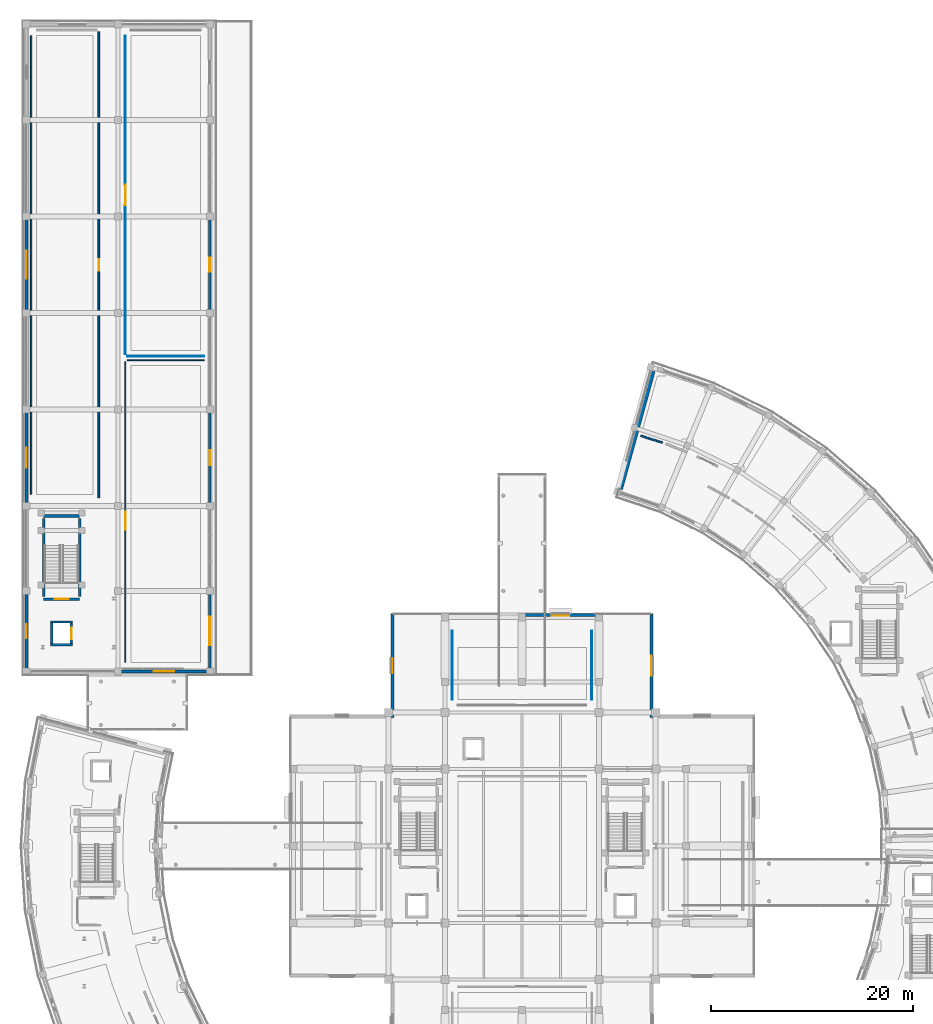
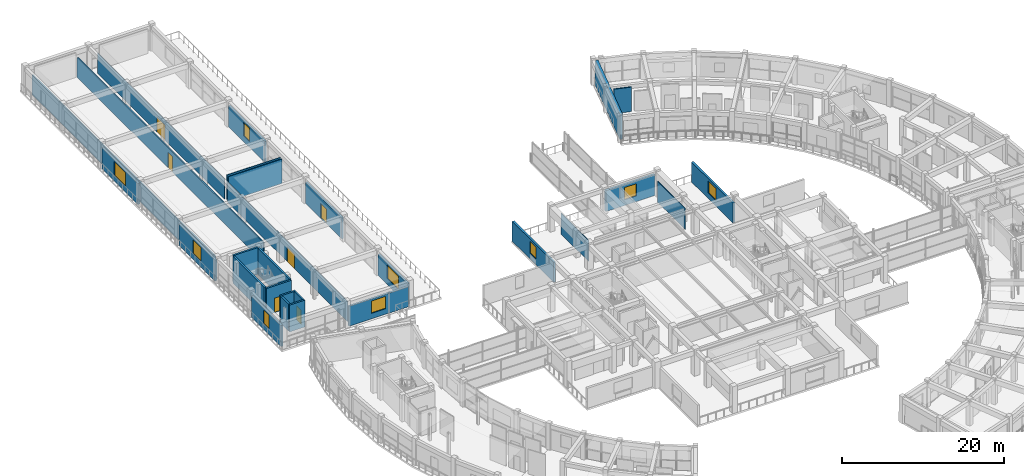
# One storey, part 51 of 70: 28 walls, 9 windows, 6 doors, 15 openings.
"""IFC4 building model written with IfcOpenShell, lengths in metres."""

from ifc_helpers import new_model, si_unit, direction, frame, frame_2d, origin, place, context, subcontext, project, spatial, rectangle, extrude, material, layer, layer_set, type_object, element, fill, save


model = new_model("IFC4")

# Units and contexts
model_context = context("Model", 3, precision=1e-05, world=origin(), true_north=direction((0.0, 1.0)))
body_context = subcontext(model_context, "Body", "Model", "MODEL_VIEW")
ifc_project = project(units=[si_unit("LENGTHUNIT", "METRE"), si_unit("AREAUNIT", "SQUARE_METRE"), si_unit("VOLUMEUNIT", "CUBIC_METRE"), si_unit("PLANEANGLEUNIT", "RADIAN"), si_unit("MASSUNIT", "GRAM", prefix="KILO")], contexts=[model_context])

# Site, building, storey
site_placement = place(None, origin())
site = spatial("IfcSite", under=ifc_project, at=site_placement, CompositionType="ELEMENT")
building_placement = place(site_placement, origin())
building = spatial("IfcBuilding", under=site, at=building_placement, Name="Saryqyr Civic Hall", CompositionType="ELEMENT")
storey_placement = place(building_placement, frame((0.0, 0.0, 13.199951171875)))
storey = spatial("IfcBuildingStorey", under=building, at=storey_placement, Name="L03", CompositionType="ELEMENT", Elevation=13.199951171875)

# Wall, opening, window
ifc_material_1 = material(Name="Precast concrete C40/50", Category="concrete")
ifc_layer_1 = layer(ifc_material_1, 0.27001953125, Name="Precast concrete C40/50")
ifc_layer_set_1 = layer_set([ifc_layer_1], Name="Precast concrete C40/50")
wall_type_1 = type_object("IfcWallType", Name="ENV-WAL-EXT-270", PredefinedType="STANDARD", material=ifc_layer_set_1)
wall_1_placement = place(storey_placement, frame((25.864990234375, 101.25, 0.0), z_axis=(0.0, 0.0, 1.0), x_axis=(-1.0, 0.0, 0.0)))
wall_1 = element("IfcWall", 1, at=wall_1_placement, inside=storey, type_object=wall_type_1, Name="Exterior wall V3-EW-L03-0-0", PredefinedType="STANDARD", context=body_context, shape_type="SweptSolid", body=[
    extrude(rectangle(XDim=8.47998046875, YDim=0.27001953125, at=frame_2d((4.239990234375, 0.0))), origin(), (0.0, 0.0, 1.0), 3.01513671875),
])
opening_1_placement = place(wall_1_placement, frame((3.239990234375, 0.0, 0.85009765625)))
opening_1 = element("IfcOpeningElement", 2, at=opening_1_placement, cuts=wall_1, Name="Opening W-28", PredefinedType="OPENING", context=body_context, shape_type="SweptSolid", body=[
    extrude(rectangle(XDim=2.0, YDim=1.85009765625, at=frame_2d((1.0, 0.925048828125))), frame((0.0, 0.14501953125, 0.0), z_axis=(0.0, -1.0, 0.0), x_axis=(1.0, 0.0, 0.0)), (0.0, 0.0, 1.0), 0.2900390625),
])
ifc_material_2 = material(Name="Anodised aluminium and triple low-E glass", Category="aluminium")
window_type_1 = type_object("IfcWindowType", Name="ENV-WIN-W28", PartitioningType="SINGLE_PANEL", PredefinedType="WINDOW", material=ifc_material_2)
window_1_placement = place(opening_1_placement, origin())
window_1 = element("IfcWindow", 3, at=window_1_placement, inside=storey, type_object=window_type_1, Name="Library window L03-0-0", OverallHeight=1.85009765625, OverallWidth=2.0, PartitioningType="SINGLE_PANEL", PredefinedType="WINDOW", context=body_context, shape_type="SweptSolid", body=[
    extrude(rectangle(XDim=2.0, YDim=1.85009765625, at=frame_2d((1.0, 0.925048828125))), frame((0.0, 0.030029296875, 0.0), z_axis=(0.0, -1.0, 0.0), x_axis=(1.0, 0.0, 0.0)), (0.0, 0.0, 1.0), 0.06005859375),
])
fill(opening_1, window_1)

wall_2_placement = place(storey_placement, frame((26.14990234375, 145.905029296875, 0.0), z_axis=(0.0, 0.0, 1.0), x_axis=(0.0, -1.0, 0.0)))
wall_2 = element("IfcWall", 4, at=wall_2_placement, inside=storey, type_object=wall_type_1, Name="Exterior wall V3-EW-L03-1-2", PredefinedType="STANDARD", context=body_context, shape_type="SweptSolid", body=[
    extrude(rectangle(XDim=8.9599609375, YDim=0.27001953125, at=frame_2d((4.47998046875, 0.0))), origin(), (0.0, 0.0, 1.0), 3.1650390625),
])
opening_2_placement = place(wall_2_placement, frame((3.780029296875, 0.0, 0.85009765625)))
opening_2 = element("IfcOpeningElement", 5, at=opening_2_placement, cuts=wall_2, Name="Opening W-31", PredefinedType="OPENING", context=body_context, shape_type="SweptSolid", body=[
    extrude(rectangle(XDim=1.39990234375, YDim=2.050048828125, at=frame_2d((0.699951171875, 1.02490234375))), frame((0.0, 0.14501953125, 0.0), z_axis=(0.0, -1.0, 0.0), x_axis=(1.0, 0.0, 0.0)), (0.0, 0.0, 1.0), 0.2900390625),
])
window_type_2 = type_object("IfcWindowType", Name="ENV-WIN-W31", PartitioningType="SINGLE_PANEL", PredefinedType="WINDOW", material=ifc_material_2)
window_2_placement = place(opening_2_placement, origin())
window_2 = element("IfcWindow", 6, at=window_2_placement, inside=storey, type_object=window_type_2, Name="Library window L03-1-2", OverallHeight=2.050048828125, OverallWidth=1.39990234375, PartitioningType="SINGLE_PANEL", PredefinedType="WINDOW", context=body_context, shape_type="SweptSolid", body=[
    extrude(rectangle(XDim=1.39990234375, YDim=2.050048828125, at=frame_2d((0.699951171875, 1.02490234375))), frame((0.0, 0.030029296875, 0.0), z_axis=(0.0, -1.0, 0.0), x_axis=(1.0, 0.0, 0.0)), (0.0, 0.0, 1.0), 0.06005859375),
])
fill(opening_2, window_2)

# Wall, opening, door
wall_3_placement = place(storey_placement, frame((26.14990234375, 126.844970703125, 0.0), z_axis=(0.0, 0.0, 1.0), x_axis=(0.0, -1.0, 0.0)))
wall_3 = element("IfcWall", 7, at=wall_3_placement, inside=storey, type_object=wall_type_1, Name="Exterior wall V3-EW-L03-1-4", PredefinedType="STANDARD", context=body_context, shape_type="SweptSolid", body=[
    extrude(rectangle(XDim=8.9599609375, YDim=0.27001953125, at=frame_2d((4.47998046875, 0.0))), origin(), (0.0, 0.0, 1.0), 3.1650390625),
])
opening_3_placement = place(wall_3_placement, frame((3.72998046875, 0.0, 0.0)))
opening_3 = element("IfcOpeningElement", 8, at=opening_3_placement, cuts=wall_3, Name="Opening TD-A", PredefinedType="OPENING", context=body_context, shape_type="SweptSolid", body=[
    extrude(rectangle(XDim=1.5, YDim=2.199951171875, at=frame_2d((0.75, 1.10009765625))), frame((0.0, 0.14501953125, 0.0), z_axis=(0.0, -1.0, 0.0), x_axis=(1.0, 0.0, 0.0)), (0.0, 0.0, 1.0), 0.2900390625),
])
ifc_material_3 = material(Name="Thermally broken painted galvanized steel", Category="steel")
door_type_1 = type_object("IfcDoorType", Name="ENV-DR-TERR-1500x2200", OperationType="NOTDEFINED", PredefinedType="DOOR", material=ifc_material_3)
door_1_placement = place(opening_3_placement, origin())
door_1 = element("IfcDoor", 9, at=door_1_placement, inside=storey, type_object=door_type_1, Name="Library reading terrace access door L03", OperationType="SINGLE_SWING_RIGHT", OverallHeight=2.199951171875, OverallWidth=1.5, PredefinedType="DOOR", context=body_context, shape_type="SweptSolid", body=[
    extrude(rectangle(XDim=1.5, YDim=2.199951171875, at=frame_2d((0.75, 1.10009765625))), frame((0.0, 0.02490234375, 0.0), z_axis=(0.0, -1.0, 0.0), x_axis=(1.0, 0.0, 0.0)), (0.0, 0.0, 1.0), 0.050048828125),
])
fill(opening_3, door_1)

# Wall, opening, window
wall_4_placement = place(storey_placement, frame((26.14990234375, 108.9150390625, 0.0), z_axis=(0.0, 0.0, 1.0), x_axis=(0.0, -1.0, 0.0)))
wall_4 = element("IfcWall", 10, at=wall_4_placement, inside=storey, type_object=wall_type_1, Name="Exterior wall V3-EW-L03-1-6", PredefinedType="STANDARD", context=body_context, shape_type="SweptSolid", body=[
    extrude(rectangle(XDim=7.380126953125, YDim=0.27001953125, at=frame_2d((3.68994140625, 0.0))), origin(), (0.0, 0.0, 1.0), 3.1650390625),
])
opening_4_placement = place(wall_4_placement, frame((2.2900390625, 0.0, 0.85009765625)))
opening_4 = element("IfcOpeningElement", 11, at=opening_4_placement, cuts=wall_4, Name="Opening W-35", PredefinedType="OPENING", context=body_context, shape_type="SweptSolid", body=[
    extrude(rectangle(XDim=2.800048828125, YDim=2.050048828125, at=frame_2d((1.39990234375, 1.02490234375))), frame((0.0, 0.14501953125, 0.0), z_axis=(0.0, -1.0, 0.0), x_axis=(1.0, 0.0, 0.0)), (0.0, 0.0, 1.0), 0.2900390625),
])
window_type_3 = type_object("IfcWindowType", Name="ENV-WIN-W35", PartitioningType="SINGLE_PANEL", PredefinedType="WINDOW", material=ifc_material_2)
window_3_placement = place(opening_4_placement, origin())
window_3 = element("IfcWindow", 12, at=window_3_placement, inside=storey, type_object=window_type_3, Name="Library window L03-1-6", OverallHeight=2.050048828125, OverallWidth=2.800048828125, PartitioningType="SINGLE_PANEL", PredefinedType="WINDOW", context=body_context, shape_type="SweptSolid", body=[
    extrude(rectangle(XDim=2.800048828125, YDim=2.050048828125, at=frame_2d((1.39990234375, 1.02490234375))), frame((0.0, 0.030029296875, 0.0), z_axis=(0.0, -1.0, 0.0), x_axis=(1.0, 0.0, 0.0)), (0.0, 0.0, 1.0), 0.06005859375),
])
fill(opening_4, window_3)

wall_5_placement = place(storey_placement, frame((8.050048828125, 101.534912109375, 0.0), z_axis=(0.0, 0.0, 1.0), x_axis=(0.0, 1.0, 0.0)))
wall_5 = element("IfcWall", 13, at=wall_5_placement, inside=storey, type_object=wall_type_1, Name="Exterior wall V3-EW-L03-3-0", PredefinedType="STANDARD", context=body_context, shape_type="SweptSolid", body=[
    extrude(rectangle(XDim=7.380126953125, YDim=0.27001953125, at=frame_2d((3.68994140625, 0.0))), origin(), (0.0, 0.0, 1.0), 3.1650390625),
])
opening_5_placement = place(wall_5_placement, frame((2.989990234375, 0.0, 0.85009765625)))
opening_5 = element("IfcOpeningElement", 14, at=opening_5_placement, cuts=wall_5, Name="Opening W-31", PredefinedType="OPENING", context=body_context, shape_type="SweptSolid", body=[
    extrude(rectangle(XDim=1.39990234375, YDim=2.050048828125, at=frame_2d((0.699951171875, 1.02490234375))), frame((0.0, 0.14501953125, 0.0), z_axis=(0.0, -1.0, 0.0), x_axis=(1.0, 0.0, 0.0)), (0.0, 0.0, 1.0), 0.2900390625),
])
window_4_placement = place(opening_5_placement, origin())
window_4 = element("IfcWindow", 15, at=window_4_placement, inside=storey, type_object=window_type_2, Name="Library window L03-3-0", OverallHeight=2.050048828125, OverallWidth=1.39990234375, PartitioningType="SINGLE_PANEL", PredefinedType="WINDOW", context=body_context, shape_type="SweptSolid", body=[
    extrude(rectangle(XDim=1.39990234375, YDim=2.050048828125, at=frame_2d((0.699951171875, 1.02490234375))), frame((0.0, 0.030029296875, 0.0), z_axis=(0.0, -1.0, 0.0), x_axis=(1.0, 0.0, 0.0)), (0.0, 0.0, 1.0), 0.06005859375),
])
fill(opening_5, window_4)

wall_6_placement = place(storey_placement, frame((8.050048828125, 117.885009765625, 0.0), z_axis=(0.0, 0.0, 1.0), x_axis=(0.0, 1.0, 0.0)))
wall_6 = element("IfcWall", 16, at=wall_6_placement, inside=storey, type_object=wall_type_1, Name="Exterior wall V3-EW-L03-3-2", PredefinedType="STANDARD", context=body_context, shape_type="SweptSolid", body=[
    extrude(rectangle(XDim=8.9599609375, YDim=0.27001953125, at=frame_2d((4.47998046875, 0.0))), origin(), (0.0, 0.0, 1.0), 3.1650390625),
])
opening_6_placement = place(wall_6_placement, frame((3.47998046875, 0.0, 0.85009765625)))
opening_6 = element("IfcOpeningElement", 17, at=opening_6_placement, cuts=wall_6, Name="Opening W-33", PredefinedType="OPENING", context=body_context, shape_type="SweptSolid", body=[
    extrude(rectangle(XDim=2.0, YDim=2.050048828125, at=frame_2d((1.0, 1.02490234375))), frame((0.0, 0.14501953125, 0.0), z_axis=(0.0, -1.0, 0.0), x_axis=(1.0, 0.0, 0.0)), (0.0, 0.0, 1.0), 0.2900390625),
])
window_type_4 = type_object("IfcWindowType", Name="ENV-WIN-W33", PartitioningType="SINGLE_PANEL", PredefinedType="WINDOW", material=ifc_material_2)
window_5_placement = place(opening_6_placement, origin())
window_5 = element("IfcWindow", 18, at=window_5_placement, inside=storey, type_object=window_type_4, Name="Library window L03-3-2", OverallHeight=2.050048828125, OverallWidth=2.0, PartitioningType="SINGLE_PANEL", PredefinedType="WINDOW", context=body_context, shape_type="SweptSolid", body=[
    extrude(rectangle(XDim=2.0, YDim=2.050048828125, at=frame_2d((1.0, 1.02490234375))), frame((0.0, 0.030029296875, 0.0), z_axis=(0.0, -1.0, 0.0), x_axis=(1.0, 0.0, 0.0)), (0.0, 0.0, 1.0), 0.06005859375),
])
fill(opening_6, window_5)

wall_7_placement = place(storey_placement, frame((8.050048828125, 136.945068359375, 0.0), z_axis=(0.0, 0.0, 1.0), x_axis=(0.0, 1.0, 0.0)))
wall_7 = element("IfcWall", 19, at=wall_7_placement, inside=storey, type_object=wall_type_1, Name="Exterior wall V3-EW-L03-3-4", PredefinedType="STANDARD", context=body_context, shape_type="SweptSolid", body=[
    extrude(rectangle(XDim=8.9599609375, YDim=0.27001953125, at=frame_2d((4.47998046875, 0.0))), origin(), (0.0, 0.0, 1.0), 3.1650390625),
])
opening_7_placement = place(wall_7_placement, frame((3.080078125, 0.0, 0.85009765625)))
opening_7 = element("IfcOpeningElement", 20, at=opening_7_placement, cuts=wall_7, Name="Opening W-35", PredefinedType="OPENING", context=body_context, shape_type="SweptSolid", body=[
    extrude(rectangle(XDim=2.800048828125, YDim=2.050048828125, at=frame_2d((1.39990234375, 1.02490234375))), frame((0.0, 0.14501953125, 0.0), z_axis=(0.0, -1.0, 0.0), x_axis=(1.0, 0.0, 0.0)), (0.0, 0.0, 1.0), 0.2900390625),
])
window_6_placement = place(opening_7_placement, origin())
window_6 = element("IfcWindow", 21, at=window_6_placement, inside=storey, type_object=window_type_3, Name="Library window L03-3-4", OverallHeight=2.050048828125, OverallWidth=2.800048828125, PartitioningType="SINGLE_PANEL", PredefinedType="WINDOW", context=body_context, shape_type="SweptSolid", body=[
    extrude(rectangle(XDim=2.800048828125, YDim=2.050048828125, at=frame_2d((1.39990234375, 1.02490234375))), frame((0.0, 0.030029296875, 0.0), z_axis=(0.0, -1.0, 0.0), x_axis=(1.0, 0.0, 0.0)), (0.0, 0.0, 1.0), 0.06005859375),
])
fill(opening_7, window_6)

ifc_layer_2 = layer(ifc_material_1, 0.2900390625, Name="Precast concrete C40/50")
ifc_layer_set_2 = layer_set([ifc_layer_2], Name="Precast concrete C40/50")
wall_type_2 = type_object("IfcWallType", Name="ENV-WAL-EXT-290", PredefinedType="STANDARD", material=ifc_layer_set_2)
wall_8_placement = place(storey_placement, frame((44.199951171875, 96.679931640625, 0.0), z_axis=(0.0, 0.0, 1.0), x_axis=(0.0, 1.0, 0.0)))
wall_8 = element("IfcWall", 22, at=wall_8_placement, inside=storey, type_object=wall_type_2, Name="Exterior wall V1-EW-L03-04", PredefinedType="STANDARD", context=body_context, shape_type="SweptSolid", body=[
    extrude(rectangle(XDim=10.239990234375, YDim=0.2900390625, at=frame_2d((5.1201171875, 0.0))), origin(), (0.0, 0.0, 1.0), 3.01513671875),
])
opening_8_placement = place(wall_8_placement, frame((4.3701171875, 0.0, 0.85009765625)))
opening_8 = element("IfcOpeningElement", 23, at=opening_8_placement, cuts=wall_8, Name="Opening W-26", PredefinedType="OPENING", context=body_context, shape_type="SweptSolid", body=[
    extrude(rectangle(XDim=1.5, YDim=1.85009765625, at=frame_2d((0.75, 0.925048828125))), frame((0.0, 0.155029296875, 0.0), z_axis=(0.0, -1.0, 0.0), x_axis=(1.0, 0.0, 0.0)), (0.0, 0.0, 1.0), 0.31005859375),
])
window_type_5 = type_object("IfcWindowType", Name="ENV-WIN-W26", PartitioningType="SINGLE_PANEL", PredefinedType="WINDOW", material=ifc_material_2)
window_7_placement = place(opening_8_placement, origin())
window_7 = element("IfcWindow", 24, at=window_7_placement, inside=storey, type_object=window_type_5, Name="Chamber cluster window L03-04", OverallHeight=1.85009765625, OverallWidth=1.5, PartitioningType="SINGLE_PANEL", PredefinedType="WINDOW", context=body_context, shape_type="SweptSolid", body=[
    extrude(rectangle(XDim=1.5, YDim=1.85009765625, at=frame_2d((0.75, 0.925048828125))), frame((0.0, 0.030029296875, 0.0), z_axis=(0.0, -1.0, 0.0), x_axis=(1.0, 0.0, 0.0)), (0.0, 0.0, 1.0), 0.06005859375),
])
fill(opening_8, window_7)

wall_9_placement = place(storey_placement, frame((57.284912109375, 106.800048828125, 0.0), z_axis=(0.0, 0.0, 1.0), x_axis=(1.0, 0.0, 0.0)))
wall_9 = element("IfcWall", 25, at=wall_9_placement, inside=storey, type_object=wall_type_2, Name="Exterior wall V1-EW-L03-05", PredefinedType="STANDARD", context=body_context, shape_type="SweptSolid", body=[
    extrude(rectangle(XDim=7.030029296875, YDim=0.2900390625, at=frame_2d((3.51513671875, 0.0))), origin(), (0.0, 0.0, 1.0), 3.1650390625),
])
opening_9_placement = place(wall_9_placement, frame((2.639892578125, 0.0, 0.85009765625)))
opening_9 = element("IfcOpeningElement", 26, at=opening_9_placement, cuts=wall_9, Name="Opening W-27", PredefinedType="OPENING", context=body_context, shape_type="SweptSolid", body=[
    extrude(rectangle(XDim=1.75, YDim=1.85009765625, at=frame_2d((0.875, 0.925048828125))), frame((0.0, 0.155029296875, 0.0), z_axis=(0.0, -1.0, 0.0), x_axis=(1.0, 0.0, 0.0)), (0.0, 0.0, 1.0), 0.31005859375),
])
window_type_6 = type_object("IfcWindowType", Name="ENV-WIN-W27", PartitioningType="SINGLE_PANEL", PredefinedType="WINDOW", material=ifc_material_2)
window_8_placement = place(opening_9_placement, origin())
window_8 = element("IfcWindow", 27, at=window_8_placement, inside=storey, type_object=window_type_6, Name="Chamber cluster window L03-05", OverallHeight=1.85009765625, OverallWidth=1.75, PartitioningType="SINGLE_PANEL", PredefinedType="WINDOW", context=body_context, shape_type="SweptSolid", body=[
    extrude(rectangle(XDim=1.75, YDim=1.85009765625, at=frame_2d((0.875, 0.925048828125))), frame((0.0, 0.030029296875, 0.0), z_axis=(0.0, -1.0, 0.0), x_axis=(1.0, 0.0, 0.0)), (0.0, 0.0, 1.0), 0.06005859375),
])
fill(opening_9, window_8)

wall_10_placement = place(storey_placement, frame((69.800048828125, 106.919921875, 0.0), z_axis=(0.0, 0.0, 1.0), x_axis=(0.0, -1.0, 0.0)))
wall_10 = element("IfcWall", 28, at=wall_10_placement, inside=storey, type_object=wall_type_2, Name="Exterior wall V1-EW-L03-06", PredefinedType="STANDARD", context=body_context, shape_type="SweptSolid", body=[
    extrude(rectangle(XDim=10.239990234375, YDim=0.2900390625, at=frame_2d((5.1201171875, 0.0))), origin(), (0.0, 0.0, 1.0), 3.01513671875),
])
opening_10_placement = place(wall_10_placement, frame((4.1201171875, 0.0, 0.85009765625)))
opening_10 = element("IfcOpeningElement", 29, at=opening_10_placement, cuts=wall_10, Name="Opening W-28", PredefinedType="OPENING", context=body_context, shape_type="SweptSolid", body=[
    extrude(rectangle(XDim=2.0, YDim=1.85009765625, at=frame_2d((1.0, 0.925048828125))), frame((0.0, 0.155029296875, 0.0), z_axis=(0.0, -1.0, 0.0), x_axis=(1.0, 0.0, 0.0)), (0.0, 0.0, 1.0), 0.31005859375),
])
window_9_placement = place(opening_10_placement, origin())
window_9 = element("IfcWindow", 30, at=window_9_placement, inside=storey, type_object=window_type_1, Name="Chamber cluster window L03-06", OverallHeight=1.85009765625, OverallWidth=2.0, PartitioningType="SINGLE_PANEL", PredefinedType="WINDOW", context=body_context, shape_type="SweptSolid", body=[
    extrude(rectangle(XDim=2.0, YDim=1.85009765625, at=frame_2d((1.0, 0.925048828125))), frame((0.0, 0.030029296875, 0.0), z_axis=(0.0, -1.0, 0.0), x_axis=(1.0, 0.0, 0.0)), (0.0, 0.0, 1.0), 0.06005859375),
])
fill(opening_10, window_9)

# Walls
ifc_material_4 = material(Name="Concrete C40/50", Category="concrete")
ifc_layer_3 = layer(ifc_material_4, 0.3798828125, Name="Concrete C40/50")
ifc_layer_set_3 = layer_set([ifc_layer_3], Name="Concrete C40/50")
wall_type_3 = type_object("IfcWallType", Name="ENV-WAL-PTY-380", PredefinedType="SHEAR", material=ifc_layer_set_3)
wall_11_placement = place(storey_placement, frame((66.73681640625, 119.229248046875, 0.0), z_axis=(0.0, 0.0, 1.0), x_axis=(0.266399016259, 0.963862834711, 0.0)))
element("IfcWall", 31, at=wall_11_placement, inside=storey, type_object=wall_type_3, Name="Exterior wall V6-JNTW-B-L03", PredefinedType="SHEAR", context=body_context, shape_type="SweptSolid", body=[
    extrude(rectangle(XDim=12.099853515625, YDim=0.3798828125, at=frame_2d((6.0498046875, 0.0))), origin(), (0.0, 0.0, 1.0), 3.75),
])
ifc_material_5 = material(Name="Lightweight demountable partition", Category="gypsum")
ifc_layer_4 = layer(ifc_material_5, 0.094970703125, Name="Lightweight demountable partition")
ifc_layer_set_4 = layer_set([ifc_layer_4], Name="Lightweight demountable partition")
wall_type_4 = type_object("IfcWallType", Name="INT-WAL-PRT-095", PredefinedType="PARTITIONING", material=ifc_layer_set_4)
for number, where, z_axis, x_axis, name in (
    (32, (63.89990234375, 105.25, 0.0), (0.0, 0.0, 1.0), (0.0, -1.0, 0.0), "Interior partition PRT-SP-V1-L03-R03-W2"),
    (33, (50.10009765625, 98.449951171875, 0.0), (0.0, 0.0, 1.0), (0.0, 1.0, 0.0), "Interior partition PRT-SP-V1-L03-R03-W3"),
):
    element("IfcWall", number, at=place(storey_placement, frame(where, z_axis=z_axis, x_axis=x_axis)), inside=storey, type_object=wall_type_4, Name=name, PredefinedType="PARTITIONING", context=body_context, shape_type="SweptSolid", body=[
        extrude(rectangle(XDim=6.800048828125, YDim=0.094970703125, at=frame_2d((3.39990234375, 0.0))), origin(), (0.0, 0.0, 1.0), 3.1650390625),
    ])

# Wall, opening, door
wall_12_placement = place(storey_placement, frame((17.800048828125, 132.580078125, 0.0), z_axis=(0.0, 0.0, 1.0), x_axis=(0.0, 1.0, 0.0)))
wall_12 = element("IfcWall", 34, at=wall_12_placement, inside=storey, type_object=wall_type_4, Name="Interior partition PRT-SP-V3-L03-R02-W1", PredefinedType="PARTITIONING", context=body_context, shape_type="SweptSolid", body=[
    extrude(rectangle(XDim=31.469970703125, YDim=0.094970703125, at=frame_2d((15.73486328125, 0.0))), origin(), (0.0, 0.0, 1.0), 3.01513671875),
])
opening_11_placement = place(wall_12_placement, frame((14.735107421875, 0.0, 0.0)))
opening_11 = element("IfcOpeningElement", 35, at=opening_11_placement, cuts=wall_12, Name="Opening D-16", PredefinedType="OPENING", context=body_context, shape_type="SweptSolid", body=[
    extrude(rectangle(XDim=2.0, YDim=2.219970703125, at=frame_2d((1.0, 1.10986328125))), frame((0.0, 0.057373046875, 0.0), z_axis=(0.0, -1.0, 0.0), x_axis=(1.0, 0.0, 0.0)), (0.0, 0.0, 1.0), 0.114990234375),
])
ifc_material_6 = material(Name="Acoustic solid-core oak veneer", Category="wood")
door_type_2 = type_object("IfcDoorType", Name="INT-DR-D-16", OperationType="NOTDEFINED", PredefinedType="DOOR", material=ifc_material_6)
door_2_placement = place(opening_11_placement, origin())
door_2 = element("IfcDoor", 36, at=door_2_placement, inside=storey, type_object=door_type_2, Name="Interior door Terrace Reading Salon & Accessible MGN WC L03", OperationType="DOUBLE_DOOR_SINGLE_SWING", OverallHeight=2.219970703125, OverallWidth=2.0, PredefinedType="DOOR", context=body_context, shape_type="SweptSolid", body=[
    extrude(rectangle(XDim=2.0, YDim=2.219970703125, at=frame_2d((1.0, 1.10986328125))), frame((0.0, 0.02490234375, 0.0), z_axis=(0.0, -1.0, 0.0), x_axis=(1.0, 0.0, 0.0)), (0.0, 0.0, 1.0), 0.050048828125),
])
fill(opening_11, door_2)

# Wall
wall_13_placement = place(storey_placement, frame((25.6201171875, 132.39990234375, 0.0), z_axis=(0.0, 0.0, 1.0), x_axis=(-1.0, 0.0, 0.0)))
element("IfcWall", 37, at=wall_13_placement, inside=storey, type_object=wall_type_4, Name="Interior partition PRT-SP-V3-L03-R02-W2", PredefinedType="PARTITIONING", context=body_context, shape_type="SweptSolid", body=[
    extrude(rectangle(XDim=7.64013671875, YDim=0.094970703125, at=frame_2d((3.820068359375, 0.0))), origin(), (0.0, 0.0, 1.0), 3.699951171875),
])

# Wall, opening, door
ifc_material_7 = material(Name="Moisture-resistant gypsum partition", Category="gypsum")
ifc_layer_5 = layer(ifc_material_7, 0.110107421875, Name="Moisture-resistant gypsum partition")
ifc_layer_set_5 = layer_set([ifc_layer_5], Name="Moisture-resistant gypsum partition")
wall_type_5 = type_object("IfcWallType", Name="INT-WAL-PRT-110", PredefinedType="PARTITIONING", material=ifc_layer_set_5)
wall_14_placement = place(storey_placement, frame((17.800048828125, 102.14990234375, 0.0), z_axis=(0.0, 0.0, 1.0), x_axis=(0.0, 1.0, 0.0)))
wall_14 = element("IfcWall", 38, at=wall_14_placement, inside=storey, type_object=wall_type_5, Name="Interior partition PRT-SP-V3-L03-R01-W1", PredefinedType="PARTITIONING", context=body_context, shape_type="SweptSolid", body=[
    extrude(rectangle(XDim=29.670166015625, YDim=0.110107421875, at=frame_2d((14.8349609375, 0.0))), origin(), (0.0, 0.0, 1.0), 3.01513671875),
])
opening_12_placement = place(wall_14_placement, frame((13.0849609375, 0.0, 0.0)))
opening_12 = element("IfcOpeningElement", 39, at=opening_12_placement, cuts=wall_14, Name="Opening D-15", PredefinedType="OPENING", context=body_context, shape_type="SweptSolid", body=[
    extrude(rectangle(XDim=1.800048828125, YDim=2.219970703125, at=frame_2d((0.89990234375, 1.10986328125))), frame((0.0, 0.06494140625, 0.0), z_axis=(0.0, -1.0, 0.0), x_axis=(1.0, 0.0, 0.0)), (0.0, 0.0, 1.0), 0.130126953125),
])
door_type_3 = type_object("IfcDoorType", Name="INT-DR-D-15", OperationType="NOTDEFINED", PredefinedType="DOOR", material=ifc_material_6)
door_3_placement = place(opening_12_placement, origin())
door_3 = element("IfcDoor", 40, at=door_3_placement, inside=storey, type_object=door_type_3, Name="Interior door Members' Seminar & Book Presentation Room", OperationType="DOUBLE_DOOR_SINGLE_SWING", OverallHeight=2.219970703125, OverallWidth=1.800048828125, PredefinedType="DOOR", context=body_context, shape_type="SweptSolid", body=[
    extrude(rectangle(XDim=1.800048828125, YDim=2.219970703125, at=frame_2d((0.89990234375, 1.10986328125))), frame((0.0, 0.02490234375, 0.0), z_axis=(0.0, -1.0, 0.0), x_axis=(1.0, 0.0, 0.0)), (0.0, 0.0, 1.0), 0.050048828125),
])
fill(opening_12, door_3)

# Walls
wall_15_placement = place(storey_placement, frame((17.97998046875, 132.0, 0.0), z_axis=(0.0, 0.0, 1.0), x_axis=(1.0, 0.0, 0.0)))
element("IfcWall", 41, at=wall_15_placement, inside=storey, type_object=wall_type_5, Name="Interior partition PRT-SP-V3-L03-R01-W2", PredefinedType="PARTITIONING", context=body_context, shape_type="SweptSolid", body=[
    extrude(rectangle(XDim=7.64013671875, YDim=0.110107421875, at=frame_2d((3.820068359375, 0.0))), origin(), (0.0, 0.0, 1.0), 3.699951171875),
])
ifc_material_8 = material(Name="Acoustic double-stud gypsum board", Category="gypsum")
ifc_layer_6 = layer(ifc_material_8, 0.169921875, Name="Acoustic double-stud gypsum board")
ifc_layer_set_6 = layer_set([ifc_layer_6], Name="Acoustic double-stud gypsum board")
wall_type_6 = type_object("IfcWallType", Name="INT-WAL-PRT-170", PredefinedType="PARTITIONING", material=ifc_layer_set_6)
wall_16_placement = place(storey_placement, frame((70.865478515625, 123.850830078125, 0.0), z_axis=(0.0, 0.0, 1.0), x_axis=(-0.954164823444, 0.299281622727, 0.0)))
element("IfcWall", 42, at=wall_16_placement, inside=storey, type_object=wall_type_6, Name="Interior partition PRT-SP-V6-L03-R03-W3", PredefinedType="PARTITIONING", context=body_context, shape_type="SweptSolid", body=[
    extrude(rectangle(XDim=2.23681640625, YDim=0.169921875, at=frame_2d((1.118408203125, 0.0))), origin(), (0.0, 0.0, 1.0), 3.699951171875),
])

# Wall, opening, door
wall_17_placement = place(storey_placement, frame((15.179931640625, 164.419921875, 0.0), z_axis=(0.0, 0.0, 1.0), x_axis=(0.0, -1.0, 0.0)))
wall_17 = element("IfcWall", 43, at=wall_17_placement, inside=storey, type_object=wall_type_6, Name="Interior partition PRT-SP-V3-L03-R03-W1", PredefinedType="PARTITIONING", context=body_context, shape_type="SweptSolid", body=[
    extrude(rectangle(XDim=46.0400390625, YDim=0.169921875, at=frame_2d((23.02001953125, 0.0))), origin(), (0.0, 0.0, 1.0), 3.01513671875),
])
opening_13_placement = place(wall_17_placement, frame((22.469970703125, 0.0, 0.0)))
opening_13 = element("IfcOpeningElement", 44, at=opening_13_placement, cuts=wall_17, Name="Opening D-17", PredefinedType="OPENING", context=body_context, shape_type="SweptSolid", body=[
    extrude(rectangle(XDim=1.10009765625, YDim=2.35009765625, at=frame_2d((0.550048828125, 1.175048828125))), frame((0.0, 0.094970703125, 0.0), z_axis=(0.0, -1.0, 0.0), x_axis=(1.0, 0.0, 0.0)), (0.0, 0.0, 1.0), 0.18994140625),
])
door_type_4 = type_object("IfcDoorType", Name="INT-DR-D-17", OperationType="NOTDEFINED", PredefinedType="DOOR", material=ifc_material_6)
door_4_placement = place(opening_13_placement, origin())
door_4 = element("IfcDoor", 45, at=door_4_placement, inside=storey, type_object=door_type_4, Name="Interior door Civic Policy & Urbanism Library", OperationType="SINGLE_SWING_LEFT", OverallHeight=2.35009765625, OverallWidth=1.10009765625, PredefinedType="DOOR", context=body_context, shape_type="SweptSolid", body=[
    extrude(rectangle(XDim=1.10009765625, YDim=2.35009765625, at=frame_2d((0.550048828125, 1.175048828125))), frame((0.0, 0.02490234375, 0.0), z_axis=(0.0, -1.0, 0.0), x_axis=(1.0, 0.0, 0.0)), (0.0, 0.0, 1.0), 0.050048828125),
])
fill(opening_13, door_4)

# Walls
wall_18_placement = place(storey_placement, frame((8.5, 118.75, 0.0), z_axis=(0.0, 0.0, 1.0), x_axis=(0.0, 1.0, 0.0)))
element("IfcWall", 46, at=wall_18_placement, inside=storey, type_object=wall_type_6, Name="Interior partition PRT-SP-V3-L03-R03-W2", PredefinedType="PARTITIONING", context=body_context, shape_type="SweptSolid", body=[
    extrude(rectangle(XDim=45.300048828125, YDim=0.169921875, at=frame_2d((22.64990234375, 0.0))), origin(), (0.0, 0.0, 1.0), 3.01513671875),
])
ifc_layer_7 = layer(ifc_material_4, 0.239990234375, Name="Concrete C40/50")
ifc_layer_set_7 = layer_set([ifc_layer_7], Name="Concrete C40/50")
wall_type_7 = type_object("IfcWallType", Name="INT-WAL-SHR-240", PredefinedType="SHEAR", material=ifc_layer_set_7)
wall_19_placement = place(storey_placement, frame((12.60009765625, 103.8701171875, 0.0), z_axis=(0.0, 0.0, 1.0), x_axis=(-1.0, 0.0, 0.0)))
element("IfcWall", 47, at=wall_19_placement, inside=storey, type_object=wall_type_7, Name="Lift shaft shear wall LF-05-SHW-S-L03", PredefinedType="SHEAR", context=body_context, shape_type="SweptSolid", body=[
    extrude(rectangle(XDim=2.2001953125, YDim=0.239990234375, at=frame_2d((1.10009765625, 0.0))), origin(), (0.0, 0.0, 1.0), 4.050048828125),
])

# Wall, opening, door
wall_20_placement = place(storey_placement, frame((12.47998046875, 106.010009765625, 0.0), z_axis=(0.0, 0.0, 1.0), x_axis=(0.0, -1.0, 0.0)))
wall_20 = element("IfcWall", 48, at=wall_20_placement, inside=storey, type_object=wall_type_7, Name="Lift shaft shear wall LF-05-SHW-E-L03", PredefinedType="SHEAR", context=body_context, shape_type="SweptSolid", body=[
    extrude(rectangle(XDim=2.02001953125, YDim=0.239990234375, at=frame_2d((1.010009765625, 0.0))), origin(), (0.0, 0.0, 1.0), 4.050048828125),
])
opening_14_placement = place(wall_20_placement, frame((0.4599609375, 0.0, 0.0)))
opening_14 = element("IfcOpeningElement", 49, at=opening_14_placement, cuts=wall_20, Name="Opening LD-01", PredefinedType="OPENING", context=body_context, shape_type="SweptSolid", body=[
    extrude(rectangle(XDim=1.10009765625, YDim=2.14990234375, at=frame_2d((0.550048828125, 1.074951171875))), frame((0.0, 0.1298828125, 0.0), z_axis=(0.0, -1.0, 0.0), x_axis=(1.0, 0.0, 0.0)), (0.0, 0.0, 1.0), 0.260009765625),
])
ifc_material_9 = material(Name="Brushed stainless steel", Category="steel")
door_type_5 = type_object("IfcDoorType", Name="INT-DR-LD-1100x2150", OperationType="NOTDEFINED", PredefinedType="DOOR", material=ifc_material_9)
door_5_placement = place(opening_14_placement, origin())
door_5 = element("IfcDoor", 50, at=door_5_placement, inside=storey, type_object=door_type_5, Name="Lift sliding landing door LF-05 L03", OperationType="SLIDING_TO_LEFT", OverallHeight=2.14990234375, OverallWidth=1.10009765625, PredefinedType="DOOR", context=body_context, shape_type="SweptSolid", body=[
    extrude(rectangle(XDim=1.10009765625, YDim=2.14990234375, at=frame_2d((0.550048828125, 1.074951171875))), frame((0.0, 0.02490234375, 0.0), z_axis=(0.0, -1.0, 0.0), x_axis=(1.0, 0.0, 0.0)), (0.0, 0.0, 1.0), 0.050048828125),
])
fill(opening_14, door_5)

# Walls
wall_21_placement = place(storey_placement, frame((10.39990234375, 106.1298828125, 0.0), z_axis=(0.0, 0.0, 1.0), x_axis=(1.0, 0.0, 0.0)))
element("IfcWall", 51, at=wall_21_placement, inside=storey, type_object=wall_type_7, Name="Lift shaft shear wall LF-05-SHW-N-L03", PredefinedType="SHEAR", context=body_context, shape_type="SweptSolid", body=[
    extrude(rectangle(XDim=2.2001953125, YDim=0.239990234375, at=frame_2d((1.10009765625, 0.0))), origin(), (0.0, 0.0, 1.0), 4.050048828125),
])
wall_22_placement = place(storey_placement, frame((10.52001953125, 103.989990234375, 0.0), z_axis=(0.0, 0.0, 1.0), x_axis=(0.0, 1.0, 0.0)))
element("IfcWall", 52, at=wall_22_placement, inside=storey, type_object=wall_type_7, Name="Lift shaft shear wall LF-05-SHW-W-L03", PredefinedType="SHEAR", context=body_context, shape_type="SweptSolid", body=[
    extrude(rectangle(XDim=2.02001953125, YDim=0.239990234375, at=frame_2d((1.010009765625, 0.0))), origin(), (0.0, 0.0, 1.0), 4.050048828125),
])

# Wall, opening, door
ifc_layer_8 = layer(ifc_material_4, 0.25, Name="Concrete C40/50")
ifc_layer_set_8 = layer_set([ifc_layer_8], Name="Concrete C40/50")
wall_type_8 = type_object("IfcWallType", Name="INT-WAL-SHR-250", PredefinedType="SHEAR", material=ifc_layer_set_8)
wall_23_placement = place(storey_placement, frame((13.300048828125, 108.39990234375, 0.0), z_axis=(0.0, 0.0, 1.0), x_axis=(-1.0, 0.0, 0.0)))
wall_23 = element("IfcWall", 53, at=wall_23_placement, inside=storey, type_object=wall_type_8, Name="Protected stair shaft wall ST-3-SW1-L03", PredefinedType="SHEAR", context=body_context, shape_type="SweptSolid", body=[
    extrude(rectangle(XDim=3.56005859375, YDim=0.25, at=frame_2d((1.780029296875, 0.0))), origin(), (0.0, 0.0, 1.0), 4.050048828125),
])
opening_15_placement = place(wall_23_placement, frame((1.10498046875, 0.0, 0.0)))
opening_15 = element("IfcOpeningElement", 54, at=opening_15_placement, cuts=wall_23, Name="Opening SD-01", PredefinedType="OPENING", context=body_context, shape_type="SweptSolid", body=[
    extrude(rectangle(XDim=1.35009765625, YDim=2.199951171875, at=frame_2d((0.675048828125, 1.10009765625))), frame((0.0, 0.135009765625, 0.0), z_axis=(0.0, -1.0, 0.0), x_axis=(1.0, 0.0, 0.0)), (0.0, 0.0, 1.0), 0.27001953125),
])
ifc_material_10 = material(Name="Painted galvanized steel", Category="steel")
door_type_6 = type_object("IfcDoorType", Name="INT-DR-STAIR-1350x2200", OperationType="NOTDEFINED", PredefinedType="DOOR", material=ifc_material_10)
door_6_placement = place(opening_15_placement, origin())
door_6 = element("IfcDoor", 55, at=door_6_placement, inside=storey, type_object=door_type_6, Name="Exit stair landing fire door ST-3-L03", OperationType="SINGLE_SWING_LEFT", OverallHeight=2.199951171875, OverallWidth=1.35009765625, PredefinedType="DOOR", context=body_context, shape_type="SweptSolid", body=[
    extrude(rectangle(XDim=1.35009765625, YDim=2.199951171875, at=frame_2d((0.675048828125, 1.10009765625))), frame((0.0, 0.02490234375, 0.0), z_axis=(0.0, -1.0, 0.0), x_axis=(1.0, 0.0, 0.0)), (0.0, 0.0, 1.0), 0.050048828125),
])
fill(opening_15, door_6)

# Walls
wall_24_placement = place(storey_placement, frame((9.739990234375, 108.64990234375, 0.0), z_axis=(0.0, 0.0, 1.0), x_axis=(0.0, 1.0, 0.0)))
element("IfcWall", 56, at=wall_24_placement, inside=storey, type_object=wall_type_8, Name="Protected stair shaft wall ST-3-SW2-L03", PredefinedType="SHEAR", context=body_context, shape_type="SweptSolid", body=[
    extrude(rectangle(XDim=7.7001953125, YDim=0.25, at=frame_2d((3.85009765625, 0.0))), origin(), (0.0, 0.0, 1.0), 4.050048828125),
])
wall_25_placement = place(storey_placement, frame((9.739990234375, 116.60009765625, 0.0), z_axis=(0.0, 0.0, 1.0), x_axis=(1.0, 0.0, 0.0)))
element("IfcWall", 57, at=wall_25_placement, inside=storey, type_object=wall_type_8, Name="Protected stair shaft wall ST-3-SW3-L03", PredefinedType="SHEAR", context=body_context, shape_type="SweptSolid", body=[
    extrude(rectangle(XDim=3.56005859375, YDim=0.25, at=frame_2d((1.780029296875, 0.0))), origin(), (0.0, 0.0, 1.0), 4.050048828125),
])
wall_26_placement = place(storey_placement, frame((13.300048828125, 116.35009765625, 0.0), z_axis=(0.0, 0.0, 1.0), x_axis=(0.0, -1.0, 0.0)))
element("IfcWall", 58, at=wall_26_placement, inside=storey, type_object=wall_type_8, Name="Protected stair shaft wall ST-3-SW4-L03", PredefinedType="SHEAR", context=body_context, shape_type="SweptSolid", body=[
    extrude(rectangle(XDim=7.7001953125, YDim=0.25, at=frame_2d((3.85009765625, 0.0))), origin(), (0.0, 0.0, 1.0), 4.050048828125),
])

save(model, "model.ifc")
